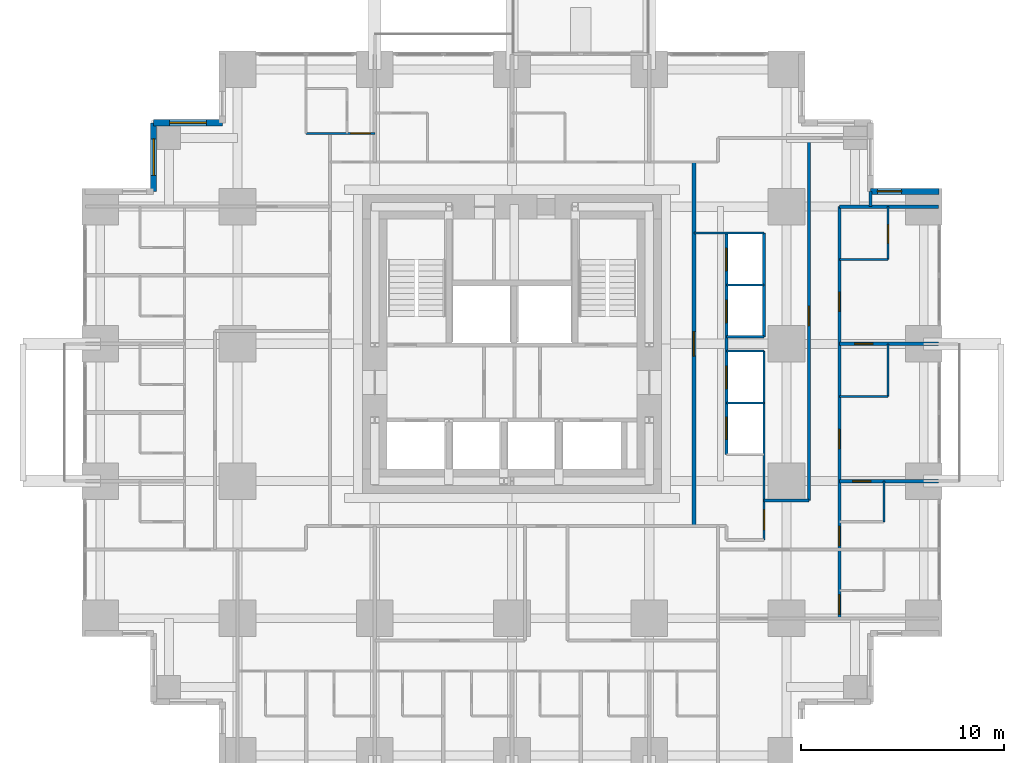
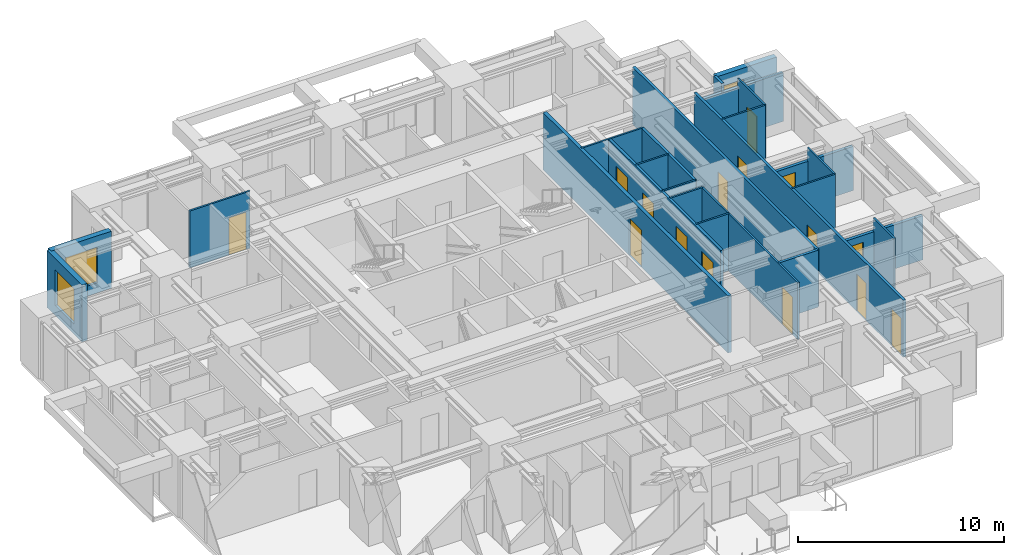
# One storey, part 10 of 13: 25 walls, 15 doors, 3 windows, 18 openings.
"""IFC4 building model written with IfcOpenShell, lengths in metres."""

import ifcopenshell
import ifcopenshell.guid

model = None  # the IFC model being written
_history = None  # IfcOwnerHistory: only IFC2X3 demands one
_inside = {}  # id of a spatial element -> (the spatial element, [elements in it])
_under = {}  # id of a project, library or spatial element -> (it, [spatial elements below it])
_declared = {}  # id of a project -> (the project, [libraries it declares])
_typed = {}  # id of a type object -> (the type object, [elements of that type])
_made_of = {}  # id of a material, layer set ... -> (it, [elements and type objects made of it])


def new_model(schema):
    """Start an empty IFC model of exactly this schema.

    Asked for "IFC4X3", IfcOpenShell would pick the latest addendum, in which some entities
    have other attributes; the version numbers below select the first issue.
    IFC2X3 requires an IfcOwnerHistory on every rooted entity: one is made here for all.
    """
    global model, _history
    if schema == "IFC4X3":
        model = ifcopenshell.file(schema_version=(4, 3, 0, 0))
    else:
        model = ifcopenshell.file(schema=schema)
    _inside.clear()
    _under.clear()
    _declared.clear()
    _typed.clear()
    _made_of.clear()
    _history = None
    if model.schema == "IFC2X3":
        org = make("IfcOrganization", Name="unknown")
        user = make(
            "IfcPersonAndOrganization",
            ThePerson=make("IfcPerson", FamilyName="unknown"),
            TheOrganization=org,
        )
        app = make(
            "IfcApplication",
            ApplicationDeveloper=org,
            Version="unknown",
            ApplicationFullName="unknown",
            ApplicationIdentifier="unknown",
        )
        _history = make(
            "IfcOwnerHistory",
            OwningUser=user,
            OwningApplication=app,
            ChangeAction="ADDED",
            CreationDate=0,
        )
    return model


def make(cls, **values):
    """One entity of the class cls with the attributes given. An attribute that is None is left unset."""
    return model.create_entity(
        cls, **{name: value for name, value in values.items() if value is not None}
    )


def rooted(cls, **values):
    """An entity with a GlobalId (a new one), such as an element, a storey or a relation."""
    return make(cls, GlobalId=ifcopenshell.guid.new(), OwnerHistory=_history, **values)


def si_unit(unit_type, name, prefix=None):
    """IfcSIUnit, for example si_unit("LENGTHUNIT", "METRE", prefix="MILLI")."""
    return make("IfcSIUnit", UnitType=unit_type, Prefix=prefix, Name=name)


def assignment(units):
    """IfcUnitAssignment: the units of a project."""
    return None if units is None else make("IfcUnitAssignment", Units=units)


def point(xyz):
    """IfcCartesianPoint."""
    return None if xyz is None else make("IfcCartesianPoint", Coordinates=xyz)


def direction(xyz):
    """IfcDirection."""
    return None if xyz is None else make("IfcDirection", DirectionRatios=xyz)


def frame(location, z_axis=None, x_axis=None):
    """IfcAxis2Placement3D, a coordinate frame: its origin and axes. An axis left out is left unset."""
    return make(
        "IfcAxis2Placement3D",
        Location=point(location),
        Axis=direction(z_axis),
        RefDirection=direction(x_axis),
    )


def frame_2d(location, x_axis=None):
    """IfcAxis2Placement2D, a coordinate frame in the plane: its origin and x axis."""
    return make(
        "IfcAxis2Placement2D", Location=point(location), RefDirection=direction(x_axis)
    )


def origin():
    """The frame at (0, 0, 0) with its axes left unset."""
    return frame((0.0, 0.0, 0.0))


def place(relative_to, where):
    """IfcLocalPlacement: puts the frame where relative to a parent placement (None: the world)."""
    return make(
        "IfcLocalPlacement", PlacementRelTo=relative_to, RelativePlacement=where
    )


def context(
    kind, dimensions, precision=None, world=None, true_north=None, identifier=None
):
    """IfcGeometricRepresentationContext, for example the 3D "Model" context."""
    return make(
        "IfcGeometricRepresentationContext",
        ContextIdentifier=identifier,
        ContextType=kind,
        CoordinateSpaceDimension=dimensions,
        Precision=precision,
        WorldCoordinateSystem=world,
        TrueNorth=true_north,
    )


def subcontext(parent, identifier, kind, view, scale=None):
    """IfcGeometricRepresentationSubContext, for example "Body" below "Model"."""
    return make(
        "IfcGeometricRepresentationSubContext",
        ContextIdentifier=identifier,
        ContextType=kind,
        ParentContext=parent,
        TargetScale=scale,
        TargetView=view,
    )


def project(units=None, contexts=None):
    """IfcProject with its units and contexts."""
    return rooted(
        "IfcProject",
        Name="project",
        RepresentationContexts=contexts,
        UnitsInContext=assignment(units),
    )


def spatial(cls, under=None, at=None, **own):
    """A site, building, storey or space (cls), placed at a placement, below another one or the project."""
    s = rooted(cls, ObjectPlacement=at, **own)
    if under is not None:
        _under.setdefault(under.id(), (under, []))[1].append(s)
    return s


def profile(cls, at=None, kind="AREA", **sizes):
    """A parametric profile (cls). Its sizes go by their IFC names, for example OverallWidth=200.0."""
    return make(cls, ProfileType=kind, Position=at, **sizes)


def rectangle(**sizes):
    """IfcRectangleProfileDef."""
    return profile("IfcRectangleProfileDef", **sizes)


def extrude(swept, where, along, depth):
    """IfcExtrudedAreaSolid: the profile swept, set in the frame where, extruded along a direction by depth."""
    return make(
        "IfcExtrudedAreaSolid",
        SweptArea=swept,
        Position=where,
        ExtrudedDirection=direction(along),
        Depth=depth,
    )


def shape(context_of_items, identifier, shape_type, items):
    """IfcShapeRepresentation: the items that make up one representation, for example the "Body"."""
    return make(
        "IfcShapeRepresentation",
        ContextOfItems=context_of_items,
        RepresentationIdentifier=identifier,
        RepresentationType=shape_type,
        Items=items,
    )


def material(Name=None, Category=None):
    """IfcMaterial."""
    return make("IfcMaterial", Name=Name, Category=Category)


def layer(
    of_material, thickness, ventilated=None, Name=None, Category=None, Priority=None
):
    """IfcMaterialLayer: one layer of a wall or slab, of a material (None: an air gap)."""
    return make(
        "IfcMaterialLayer",
        Material=of_material,
        LayerThickness=thickness,
        IsVentilated=ventilated,
        Name=Name,
        Category=Category,
        Priority=Priority,
    )


def layer_set(layers, Name=None):
    """IfcMaterialLayerSet."""
    return make("IfcMaterialLayerSet", MaterialLayers=layers, LayerSetName=Name)


def made_of(thing, what):
    """Note that an element or type object is made of a material, layer set ...; save() writes the relation."""
    if what is not None:
        _made_of.setdefault(what.id(), (what, []))[1].append(thing)
    return thing


def type_object(cls, material=None, **own):
    """A type object (cls), such as IfcWallType, which elements share."""
    return made_of(rooted(cls, **own), material)


def element(
    cls,
    number,
    at=None,
    inside=None,
    cuts=None,
    type_object=None,
    material=None,
    context=None,
    identifier="Body",
    shape_type=None,
    held_by="IfcProductDefinitionShape",
    body=None,
    shapes=None,
    **own,
):
    """One element of the class cls, such as IfcWall. Its Tag is "e" and its number.

    at: its placement. inside: the storey or other place that contains it. cuts: it is an
    opening in that element (IfcRelVoidsElement). A single representation is given by context,
    identifier, shape_type and body (its items); several are given by shapes. held_by: the class
    of the entity that holds the representations. save() writes the other relations.
    """
    e = rooted(cls, Tag="e%d" % number, ObjectPlacement=at, **own)
    if body is not None:
        shapes = [shape(context, identifier, shape_type, body)]
    if shapes is not None:
        e.Representation = make(held_by, Representations=shapes)
    if inside is not None:
        _inside.setdefault(inside.id(), (inside, []))[1].append(e)
    if cuts is not None:
        rooted(
            "IfcRelVoidsElement", RelatingBuildingElement=cuts, RelatedOpeningElement=e
        )
    if type_object is not None:
        _typed.setdefault(type_object.id(), (type_object, []))[1].append(e)
    return made_of(e, material)


def fill(opening, filler):
    """IfcRelFillsElement: the door or window that sits in an opening."""
    return rooted(
        "IfcRelFillsElement",
        RelatingOpeningElement=opening,
        RelatedBuildingElement=filler,
    )


def aggregate(whole, parts):
    """IfcRelAggregates: a whole, such as a stair, and the parts it consists of."""
    return rooted("IfcRelAggregates", RelatingObject=whole, RelatedObjects=parts)


def save(model, path):
    """Write the relations noted so far, then the file.

    IfcRelAggregates (storeys below a building ...), IfcRelContainedInSpatialStructure (elements
    in a storey), IfcRelDefinesByType, IfcRelAssociatesMaterial and IfcRelDeclares: one each for
    every whole, place, type object, material and project.
    """
    for whole, parts in _under.values():
        aggregate(whole, parts)
    for where, things in _inside.values():
        rooted(
            "IfcRelContainedInSpatialStructure",
            RelatedElements=things,
            RelatingStructure=where,
        )
    for kind, things in _typed.values():
        rooted("IfcRelDefinesByType", RelatedObjects=things, RelatingType=kind)
    for what, things in _made_of.values():
        rooted("IfcRelAssociatesMaterial", RelatedObjects=things, RelatingMaterial=what)
    for by, libraries in _declared.values():
        rooted("IfcRelDeclares", RelatingContext=by, RelatedDefinitions=libraries)
    model.write(path)


model = new_model("IFC4")

# Units and contexts
model_context = context("Model", 3, precision=1e-05, world=origin(), true_north=direction((0.0, 1.0)))
body_context = subcontext(model_context, "Body", "Model", "MODEL_VIEW")
ifc_project = project(units=[si_unit("LENGTHUNIT", "METRE"), si_unit("AREAUNIT", "SQUARE_METRE"), si_unit("VOLUMEUNIT", "CUBIC_METRE"), si_unit("PLANEANGLEUNIT", "RADIAN"), si_unit("MASSUNIT", "GRAM", prefix="KILO")], contexts=[model_context])

# Site, building, storey
site_placement = place(None, origin())
site = spatial("IfcSite", under=ifc_project, at=site_placement, CompositionType="ELEMENT")
building_placement = place(site_placement, origin())
building = spatial("IfcBuilding", under=site, at=building_placement, Name="Nyansa Garden Tower", CompositionType="ELEMENT")
storey_placement = place(building_placement, frame((0.0, 0.0, 105.300048828125)))
storey = spatial("IfcBuildingStorey", under=building, at=storey_placement, Name="L28", CompositionType="ELEMENT", Elevation=105.300048828125)

# Wall, opening, door
ifc_material_1 = material(Name="Dense blockwork, plastered both sides, 55 dB", Category="masonry")
ifc_layer_1 = layer(ifc_material_1, 0.175048828125)
ifc_layer_set_1 = layer_set([ifc_layer_1], Name="Acoustic party wall PW175")
wall_type_1 = type_object("IfcWallType", Name="Acoustic party wall PW175", PredefinedType="PARTITIONING", material=ifc_layer_set_1)
wall_1_placement = place(storey_placement, frame((36.35009765625, 13.5, 0.0), z_axis=(0.0, 0.0, 1.0), x_axis=(1.0, 0.0, 0.0)))
wall_1 = element("IfcWall", 1, at=wall_1_placement, inside=storey, type_object=wall_type_1, Name="Party wall", PredefinedType="PARTITIONING", context=body_context, shape_type="SweptSolid", body=[
    extrude(rectangle(XDim=4.8837890625, YDim=0.175048828125, at=frame_2d((2.44189453125, 0.0))), origin(), (0.0, 0.0, 1.0), 2.60986328125),
])
opening_1_placement = place(wall_1_placement, frame((0.64990234375, 0.0, 0.0)))
opening_1 = element("IfcOpeningElement", 2, at=opening_1_placement, cuts=wall_1, Name="Opening D02", PredefinedType="OPENING", context=body_context, shape_type="SweptSolid", body=[
    extrude(rectangle(XDim=0.89990234375, YDim=2.199951171875, at=frame_2d((0.449951171875, 1.10009765625))), frame((0.0, 0.097412109375, 0.0), z_axis=(0.0, -1.0, 0.0), x_axis=(1.0, 0.0, 0.0)), (0.0, 0.0, 1.0), 0.195068359375),
])
ifc_material_2 = material(Name="Timber flush door", Category="wood")
door_type_1 = type_object("IfcDoorType", Name="En-suite door D02 900x2200", OperationType="SINGLE_SWING_RIGHT", PredefinedType="DOOR", material=ifc_material_2)
door_1_placement = place(opening_1_placement, origin())
door_1 = element("IfcDoor", 3, at=door_1_placement, inside=storey, type_object=door_type_1, Name="Door L28-045", OperationType="SINGLE_SWING_RIGHT", OverallHeight=2.199951171875, OverallWidth=0.89990234375, PredefinedType="DOOR", context=body_context, shape_type="SweptSolid", body=[
    extrude(rectangle(XDim=0.89990234375, YDim=2.199951171875, at=frame_2d((0.449951171875, 1.10009765625))), frame((0.0, 0.02490234375, 0.0), z_axis=(0.0, -1.0, 0.0), x_axis=(1.0, 0.0, 0.0)), (0.0, 0.0, 1.0), 0.050048828125),
])
fill(opening_1, door_1)

wall_2_placement = place(storey_placement, frame((36.35009765625, 20.25, 0.0), z_axis=(0.0, 0.0, 1.0), x_axis=(1.0, 0.0, 0.0)))
wall_2 = element("IfcWall", 4, at=wall_2_placement, inside=storey, type_object=wall_type_1, Name="Party wall", PredefinedType="PARTITIONING", context=body_context, shape_type="SweptSolid", body=[
    extrude(rectangle(XDim=4.8837890625, YDim=0.175048828125, at=frame_2d((2.44189453125, 0.0))), origin(), (0.0, 0.0, 1.0), 2.60986328125),
])
opening_2_placement = place(wall_2_placement, frame((0.75, 0.0, 0.0)))
opening_2 = element("IfcOpeningElement", 5, at=opening_2_placement, cuts=wall_2, Name="Opening D02", PredefinedType="OPENING", context=body_context, shape_type="SweptSolid", body=[
    extrude(rectangle(XDim=0.89990234375, YDim=2.199951171875, at=frame_2d((0.449951171875, 1.10009765625))), frame((0.0, 0.097412109375, 0.0), z_axis=(0.0, -1.0, 0.0), x_axis=(1.0, 0.0, 0.0)), (0.0, 0.0, 1.0), 0.195068359375),
])
door_2_placement = place(opening_2_placement, origin())
door_2 = element("IfcDoor", 6, at=door_2_placement, inside=storey, type_object=door_type_1, Name="Door L28-043", OperationType="SINGLE_SWING_RIGHT", OverallHeight=2.199951171875, OverallWidth=0.89990234375, PredefinedType="DOOR", context=body_context, shape_type="SweptSolid", body=[
    extrude(rectangle(XDim=0.89990234375, YDim=2.199951171875, at=frame_2d((0.449951171875, 1.10009765625))), frame((0.0, 0.02490234375, 0.0), z_axis=(0.0, -1.0, 0.0), x_axis=(1.0, 0.0, 0.0)), (0.0, 0.0, 1.0), 0.050048828125),
])
fill(opening_2, door_2)

# Wall
wall_3_placement = place(storey_placement, frame((36.35009765625, 27.0, 0.0), z_axis=(0.0, 0.0, 1.0), x_axis=(1.0, 0.0, 0.0)))
element("IfcWall", 7, at=wall_3_placement, inside=storey, type_object=wall_type_1, Name="Party wall", PredefinedType="PARTITIONING", context=body_context, shape_type="SweptSolid", body=[
    extrude(rectangle(XDim=4.8837890625, YDim=0.175048828125, at=frame_2d((2.44189453125, 0.0))), origin(), (0.0, 0.0, 1.0), 2.876953125),
])

# Wall, opening, door
ifc_material_3 = material(Name="Concrete blockwork, plastered, 60 minute fire resisting", Category="masonry")
ifc_layer_2 = layer(ifc_material_3, 0.199951171875)
ifc_layer_set_2 = layer_set([ifc_layer_2], Name="Corridor wall FW200")
wall_type_2 = type_object("IfcWallType", Name="Corridor wall FW200", PredefinedType="PARTITIONING", material=ifc_layer_set_2)
wall_4_placement = place(storey_placement, frame((29.199951171875, 11.300048828125, 0.0), z_axis=(0.0, 0.0, 1.0), x_axis=(0.0, 1.0, 0.0)))
wall_4 = element("IfcWall", 8, at=wall_4_placement, inside=storey, type_object=wall_type_2, Name="Corridor wall", PredefinedType="PARTITIONING", context=body_context, shape_type="SweptSolid", body=[
    extrude(rectangle(XDim=17.89990234375, YDim=0.199951171875, at=frame_2d((8.949951171875, 0.0))), origin(), (0.0, 0.0, 1.0), 3.375),
])
opening_3_placement = place(wall_4_placement, frame((8.35009765625, 0.0, 0.0)))
opening_3 = element("IfcOpeningElement", 9, at=opening_3_placement, cuts=wall_4, Name="Opening D06", PredefinedType="OPENING", context=body_context, shape_type="SweptSolid", body=[
    extrude(rectangle(XDim=1.199951171875, YDim=2.199951171875, at=frame_2d((0.60009765625, 1.10009765625))), frame((0.0, 0.10986328125, 0.0), z_axis=(0.0, -1.0, 0.0), x_axis=(1.0, 0.0, 0.0)), (0.0, 0.0, 1.0), 0.219970703125),
])
ifc_material_4 = material(Name="Steel door, 120 minute fire resisting", Category="steel")
door_type_2 = type_object("IfcDoorType", Name="Lobby door D06 1200x2200", OperationType="DOUBLE_DOOR_SINGLE_SWING", PredefinedType="DOOR", material=ifc_material_4)
door_3_placement = place(opening_3_placement, origin())
door_3 = element("IfcDoor", 10, at=door_3_placement, inside=storey, type_object=door_type_2, Name="Low-rise lift lobby door", OperationType="DOUBLE_DOOR_SINGLE_SWING", OverallHeight=2.199951171875, OverallWidth=1.199951171875, PredefinedType="DOOR", context=body_context, shape_type="SweptSolid", body=[
    extrude(rectangle(XDim=1.199951171875, YDim=2.199951171875, at=frame_2d((0.60009765625, 1.10009765625))), frame((0.0, 0.02490234375, 0.0), z_axis=(0.0, -1.0, 0.0), x_axis=(1.0, 0.0, 0.0)), (0.0, 0.0, 1.0), 0.050048828125),
])
fill(opening_3, door_3)

# Walls
ifc_material_5 = material(Name="Steel-stud shaft wall, two layers fire-rated board, EI 120", Category="steel")
ifc_layer_3 = layer(ifc_material_5, 0.10009765625)
ifc_layer_set_3 = layer_set([ifc_layer_3], Name="Lift shaft wall SW100")
wall_type_3 = type_object("IfcWallType", Name="Lift shaft wall SW100", PredefinedType="SHEAR", material=ifc_layer_set_3)
wall_5_placement = place(storey_placement, frame((29.199951171875, 25.699951171875, 0.0), z_axis=(0.0, 0.0, 1.0), x_axis=(1.0, 0.0, 0.0)))
element("IfcWall", 11, at=wall_5_placement, inside=storey, type_object=wall_type_3, Name="Lift shaft wall", PredefinedType="SHEAR", context=body_context, shape_type="SweptSolid", body=[
    extrude(rectangle(XDim=3.449951171875, YDim=0.10009765625, at=frame_2d((1.72509765625, 0.0))), origin(), (0.0, 0.0, 1.0), 3.375),
])
for number, where, z_axis, x_axis, name in (
    (12, (30.800048828125, 17.35009765625, 0.0), (0.0, 0.0, 1.0), (1.0, 0.0, 0.0), "Lift shaft wall"),
    (13, (30.800048828125, 19.89990234375, 0.0), (0.0, 0.0, 1.0), (1.0, 0.0, 0.0), "Lift shaft wall"),
    (14, (30.800048828125, 20.60009765625, 0.0), (0.0, 0.0, 1.0), (1.0, 0.0, 0.0), "Lift shaft wall"),
    (15, (30.800048828125, 23.14990234375, 0.0), (0.0, 0.0, 1.0), (1.0, 0.0, 0.0), "Lift shaft wall"),
):
    element("IfcWall", number, at=place(storey_placement, frame(where, z_axis=z_axis, x_axis=x_axis)), inside=storey, type_object=wall_type_3, Name=name, PredefinedType="SHEAR", context=body_context, shape_type="SweptSolid", body=[
        extrude(rectangle(XDim=1.849853515625, YDim=0.10009765625, at=frame_2d((0.9248046875, 0.0))), origin(), (0.0, 0.0, 1.0), 3.375),
    ])

# Wall, opening, door
wall_6_placement = place(storey_placement, frame((32.64990234375, 10.60009765625, 0.0), z_axis=(0.0, 0.0, 1.0), x_axis=(0.0, 1.0, 0.0)))
wall_6 = element("IfcWall", 16, at=wall_6_placement, inside=storey, type_object=wall_type_3, Name="Lift shaft wall", PredefinedType="SHEAR", context=body_context, shape_type="SweptSolid", body=[
    extrude(rectangle(XDim=9.2998046875, YDim=0.10009765625, at=frame_2d((4.64990234375, 0.0))), origin(), (0.0, 0.0, 1.0), 3.375),
])
opening_4_placement = place(wall_6_placement, frame((0.5, 0.0, 0.0)))
opening_4 = element("IfcOpeningElement", 17, at=opening_4_placement, cuts=wall_6, Name="Opening D03", PredefinedType="OPENING", context=body_context, shape_type="SweptSolid", body=[
    extrude(rectangle(XDim=1.0, YDim=2.199951171875, at=frame_2d((0.5, 1.10009765625))), frame((0.0, 0.06005859375, 0.0), z_axis=(0.0, -1.0, 0.0), x_axis=(1.0, 0.0, 0.0)), (0.0, 0.0, 1.0), 0.1201171875),
])
ifc_material_6 = material(Name="Timber flush door, 60 minute fire resisting", Category="wood")
door_type_3 = type_object("IfcDoorType", Name="Cluster entrance door D03 1000x2200", OperationType="SINGLE_SWING_LEFT", PredefinedType="DOOR", material=ifc_material_6)
door_4_placement = place(opening_4_placement, origin())
door_4 = element("IfcDoor", 18, at=door_4_placement, inside=storey, type_object=door_type_3, Name="Door L28-046", OperationType="SINGLE_SWING_LEFT", OverallHeight=2.199951171875, OverallWidth=1.0, PredefinedType="DOOR", context=body_context, shape_type="SweptSolid", body=[
    extrude(rectangle(XDim=1.0, YDim=2.199951171875, at=frame_2d((0.5, 1.10009765625))), frame((0.0, 0.02490234375, 0.0), z_axis=(0.0, -1.0, 0.0), x_axis=(1.0, 0.0, 0.0)), (0.0, 0.0, 1.0), 0.050048828125),
])
fill(opening_4, door_4)

# Wall, openings, doors
ifc_material_7 = material(Name="Blockwork, plastered both sides", Category="masonry")
ifc_layer_4 = layer(ifc_material_7, 0.14990234375)
ifc_layer_set_4 = layer_set([ifc_layer_4], Name="Partition PW150")
wall_type_4 = type_object("IfcWallType", Name="Partition PW150", PredefinedType="PARTITIONING", material=ifc_layer_set_4)
wall_7_placement = place(storey_placement, frame((30.800048828125, 14.800048828125, 0.0), z_axis=(0.0, 0.0, 1.0), x_axis=(0.0, 1.0, 0.0)))
wall_7 = element("IfcWall", 19, at=wall_7_placement, inside=storey, type_object=wall_type_4, Name="Partition", PredefinedType="PARTITIONING", context=body_context, shape_type="SweptSolid", body=[
    extrude(rectangle(XDim=10.89990234375, YDim=0.14990234375, at=frame_2d((5.449951171875, 0.0))), origin(), (0.0, 0.0, 1.0), 3.375),
])
opening_5_placement = place(wall_7_placement, frame((0.75, 0.0, 0.0)))
opening_5 = element("IfcOpeningElement", 20, at=opening_5_placement, cuts=wall_7, Name="Opening LD-A", PredefinedType="OPENING", context=body_context, shape_type="SweptSolid", body=[
    extrude(rectangle(XDim=1.10009765625, YDim=2.199951171875, at=frame_2d((0.550048828125, 1.10009765625))), frame((0.0, 0.0849609375, 0.0), z_axis=(0.0, -1.0, 0.0), x_axis=(1.0, 0.0, 0.0)), (0.0, 0.0, 1.0), 0.169921875),
])
opening_6_placement = place(wall_7_placement, frame((3.25, 0.0, 0.0)))
opening_6 = element("IfcOpeningElement", 21, at=opening_6_placement, cuts=wall_7, Name="Opening LD-A", PredefinedType="OPENING", context=body_context, shape_type="SweptSolid", body=[
    extrude(rectangle(XDim=1.10009765625, YDim=2.199951171875, at=frame_2d((0.550048828125, 1.10009765625))), frame((0.0, 0.0849609375, 0.0), z_axis=(0.0, -1.0, 0.0), x_axis=(1.0, 0.0, 0.0)), (0.0, 0.0, 1.0), 0.169921875),
])
opening_7_placement = place(wall_7_placement, frame((6.5, 0.0, 0.0)))
opening_7 = element("IfcOpeningElement", 22, at=opening_7_placement, cuts=wall_7, Name="Opening LD-A", PredefinedType="OPENING", context=body_context, shape_type="SweptSolid", body=[
    extrude(rectangle(XDim=1.10009765625, YDim=2.199951171875, at=frame_2d((0.550048828125, 1.10009765625))), frame((0.0, 0.0849609375, 0.0), z_axis=(0.0, -1.0, 0.0), x_axis=(1.0, 0.0, 0.0)), (0.0, 0.0, 1.0), 0.169921875),
])
opening_8_placement = place(wall_7_placement, frame((9.050048828125, 0.0, 0.0)))
opening_8 = element("IfcOpeningElement", 23, at=opening_8_placement, cuts=wall_7, Name="Opening LD-A", PredefinedType="OPENING", context=body_context, shape_type="SweptSolid", body=[
    extrude(rectangle(XDim=1.10009765625, YDim=2.199951171875, at=frame_2d((0.550048828125, 1.10009765625))), frame((0.0, 0.0849609375, 0.0), z_axis=(0.0, -1.0, 0.0), x_axis=(1.0, 0.0, 0.0)), (0.0, 0.0, 1.0), 0.169921875),
])
ifc_material_8 = material(Name="Stainless steel centre-opening landing door of the low-rise lift, E 120", Category="steel")
door_type_4 = type_object("IfcDoorType", Name="Lift landing door LD-A 1100x2200", OperationType="DOUBLE_DOOR_SLIDING", PredefinedType="DOOR", material=ifc_material_8)
door_5_placement = place(opening_5_placement, origin())
door_5 = element("IfcDoor", 24, at=door_5_placement, inside=storey, type_object=door_type_4, Name="Landing door A1", OperationType="DOUBLE_DOOR_SLIDING", OverallHeight=2.199951171875, OverallWidth=1.10009765625, PredefinedType="DOOR", context=body_context, shape_type="SweptSolid", body=[
    extrude(rectangle(XDim=1.10009765625, YDim=2.199951171875, at=frame_2d((0.550048828125, 1.10009765625))), frame((0.0, 0.02490234375, 0.0), z_axis=(0.0, -1.0, 0.0), x_axis=(1.0, 0.0, 0.0)), (0.0, 0.0, 1.0), 0.050048828125),
])
fill(opening_5, door_5)
door_6_placement = place(opening_6_placement, origin())
door_6 = element("IfcDoor", 25, at=door_6_placement, inside=storey, type_object=door_type_4, Name="Landing door A2", OperationType="DOUBLE_DOOR_SLIDING", OverallHeight=2.199951171875, OverallWidth=1.10009765625, PredefinedType="DOOR", context=body_context, shape_type="SweptSolid", body=[
    extrude(rectangle(XDim=1.10009765625, YDim=2.199951171875, at=frame_2d((0.550048828125, 1.10009765625))), frame((0.0, 0.02490234375, 0.0), z_axis=(0.0, -1.0, 0.0), x_axis=(1.0, 0.0, 0.0)), (0.0, 0.0, 1.0), 0.050048828125),
])
fill(opening_6, door_6)
door_7_placement = place(opening_7_placement, origin())
door_7 = element("IfcDoor", 26, at=door_7_placement, inside=storey, type_object=door_type_4, Name="Landing door A3", OperationType="DOUBLE_DOOR_SLIDING", OverallHeight=2.199951171875, OverallWidth=1.10009765625, PredefinedType="DOOR", context=body_context, shape_type="SweptSolid", body=[
    extrude(rectangle(XDim=1.10009765625, YDim=2.199951171875, at=frame_2d((0.550048828125, 1.10009765625))), frame((0.0, 0.02490234375, 0.0), z_axis=(0.0, -1.0, 0.0), x_axis=(1.0, 0.0, 0.0)), (0.0, 0.0, 1.0), 0.050048828125),
])
fill(opening_7, door_7)
door_8_placement = place(opening_8_placement, origin())
door_8 = element("IfcDoor", 27, at=door_8_placement, inside=storey, type_object=door_type_4, Name="Landing door A4", OperationType="DOUBLE_DOOR_SLIDING", OverallHeight=2.199951171875, OverallWidth=1.10009765625, PredefinedType="DOOR", context=body_context, shape_type="SweptSolid", body=[
    extrude(rectangle(XDim=1.10009765625, YDim=2.199951171875, at=frame_2d((0.550048828125, 1.10009765625))), frame((0.0, 0.02490234375, 0.0), z_axis=(0.0, -1.0, 0.0), x_axis=(1.0, 0.0, 0.0)), (0.0, 0.0, 1.0), 0.050048828125),
])
fill(opening_8, door_8)

# Walls
wall_8_placement = place(storey_placement, frame((32.64990234375, 12.550048828125, 0.0), z_axis=(0.0, 0.0, 1.0), x_axis=(1.0, 0.0, 0.0)))
element("IfcWall", 28, at=wall_8_placement, inside=storey, type_object=wall_type_4, Name="Partition", PredefinedType="PARTITIONING", context=body_context, shape_type="SweptSolid", body=[
    extrude(rectangle(XDim=2.2001953125, YDim=0.14990234375, at=frame_2d((1.10009765625, 0.0))), origin(), (0.0, 0.0, 1.0), 3.375),
])
wall_9_placement = place(storey_placement, frame((32.64990234375, 20.60009765625, 0.0), z_axis=(0.0, 0.0, 1.0), x_axis=(0.0, 1.0, 0.0)))
element("IfcWall", 29, at=wall_9_placement, inside=storey, type_object=wall_type_4, Name="Partition", PredefinedType="PARTITIONING", context=body_context, shape_type="SweptSolid", body=[
    extrude(rectangle(XDim=5.099853515625, YDim=0.14990234375, at=frame_2d((2.5498046875, 0.0))), origin(), (0.0, 0.0, 1.0), 3.375),
])

# Wall, opening, door
wall_10_placement = place(storey_placement, frame((34.85009765625, 12.550048828125, 0.0), z_axis=(0.0, 0.0, 1.0), x_axis=(0.0, 1.0, 0.0)))
wall_10 = element("IfcWall", 30, at=wall_10_placement, inside=storey, type_object=wall_type_4, Name="Partition", PredefinedType="PARTITIONING", context=body_context, shape_type="SweptSolid", body=[
    extrude(rectangle(XDim=17.824951171875, YDim=0.14990234375, at=frame_2d((8.91259765625, 0.0))), origin(), (0.0, 0.0, 1.0), 3.375),
])
opening_9_placement = place(wall_10_placement, frame((8.60009765625, 0.0, 0.0)))
opening_9 = element("IfcOpeningElement", 31, at=opening_9_placement, cuts=wall_10, Name="Opening D01", PredefinedType="OPENING", context=body_context, shape_type="SweptSolid", body=[
    extrude(rectangle(XDim=0.949951171875, YDim=2.199951171875, at=frame_2d((0.47509765625, 1.10009765625))), frame((0.0, 0.0849609375, 0.0), z_axis=(0.0, -1.0, 0.0), x_axis=(1.0, 0.0, 0.0)), (0.0, 0.0, 1.0), 0.169921875),
])
ifc_material_9 = material(Name="Timber flush door, 30 minute fire resisting", Category="wood")
door_type_5 = type_object("IfcDoorType", Name="Bedroom door D01 950x2200", OperationType="SINGLE_SWING_LEFT", PredefinedType="DOOR", material=ifc_material_9)
door_9_placement = place(opening_9_placement, origin())
door_9 = element("IfcDoor", 32, at=door_9_placement, inside=storey, type_object=door_type_5, Name="Door L28-047", OperationType="SINGLE_SWING_LEFT", OverallHeight=2.199951171875, OverallWidth=0.949951171875, PredefinedType="DOOR", context=body_context, shape_type="SweptSolid", body=[
    extrude(rectangle(XDim=0.949951171875, YDim=2.199951171875, at=frame_2d((0.47509765625, 1.10009765625))), frame((0.0, 0.02490234375, 0.0), z_axis=(0.0, -1.0, 0.0), x_axis=(1.0, 0.0, 0.0)), (0.0, 0.0, 1.0), 0.050048828125),
])
fill(opening_9, door_9)

# Wall, openings, doors
wall_11_placement = place(storey_placement, frame((36.35009765625, 6.75, 0.0), z_axis=(0.0, 0.0, 1.0), x_axis=(0.0, 1.0, 0.0)))
wall_11 = element("IfcWall", 33, at=wall_11_placement, inside=storey, type_object=wall_type_4, Name="Partition", PredefinedType="PARTITIONING", context=body_context, shape_type="SweptSolid", body=[
    extrude(rectangle(XDim=20.25, YDim=0.14990234375, at=frame_2d((10.125, 0.0))), origin(), (0.0, 0.0, 1.0), 3.375),
])
opening_10_placement = place(wall_11_placement, frame((0.199951171875, 0.0, 0.0)))
opening_10 = element("IfcOpeningElement", 34, at=opening_10_placement, cuts=wall_11, Name="Opening D01", PredefinedType="OPENING", context=body_context, shape_type="SweptSolid", body=[
    extrude(rectangle(XDim=0.949951171875, YDim=2.199951171875, at=frame_2d((0.47509765625, 1.10009765625))), frame((0.0, 0.0849609375, 0.0), z_axis=(0.0, -1.0, 0.0), x_axis=(1.0, 0.0, 0.0)), (0.0, 0.0, 1.0), 0.169921875),
])
opening_11_placement = place(wall_11_placement, frame((15.10009765625, 0.0, 0.0)))
opening_11 = element("IfcOpeningElement", 35, at=opening_11_placement, cuts=wall_11, Name="Opening D14", PredefinedType="OPENING", context=body_context, shape_type="SweptSolid", body=[
    extrude(rectangle(XDim=0.949951171875, YDim=2.199951171875, at=frame_2d((0.47509765625, 1.10009765625))), frame((0.0, 0.0849609375, 0.0), z_axis=(0.0, -1.0, 0.0), x_axis=(1.0, 0.0, 0.0)), (0.0, 0.0, 1.0), 0.169921875),
])
opening_12_placement = place(wall_11_placement, frame((8.35009765625, 0.0, 0.0)))
opening_12 = element("IfcOpeningElement", 36, at=opening_12_placement, cuts=wall_11, Name="Opening D14", PredefinedType="OPENING", context=body_context, shape_type="SweptSolid", body=[
    extrude(rectangle(XDim=0.949951171875, YDim=2.199951171875, at=frame_2d((0.47509765625, 1.10009765625))), frame((0.0, 0.0849609375, 0.0), z_axis=(0.0, -1.0, 0.0), x_axis=(1.0, 0.0, 0.0)), (0.0, 0.0, 1.0), 0.169921875),
])
opening_13_placement = place(wall_11_placement, frame((3.574951171875, 0.0, 0.0)))
opening_13 = element("IfcOpeningElement", 37, at=opening_13_placement, cuts=wall_11, Name="Opening D14", PredefinedType="OPENING", context=body_context, shape_type="SweptSolid", body=[
    extrude(rectangle(XDim=0.949951171875, YDim=2.199951171875, at=frame_2d((0.47509765625, 1.10009765625))), frame((0.0, 0.0849609375, 0.0), z_axis=(0.0, -1.0, 0.0), x_axis=(1.0, 0.0, 0.0)), (0.0, 0.0, 1.0), 0.169921875),
])
door_10_placement = place(opening_10_placement, origin())
door_10 = element("IfcDoor", 38, at=door_10_placement, inside=storey, type_object=door_type_5, Name="Door L28-037", OperationType="SINGLE_SWING_LEFT", OverallHeight=2.199951171875, OverallWidth=0.949951171875, PredefinedType="DOOR", context=body_context, shape_type="SweptSolid", body=[
    extrude(rectangle(XDim=0.949951171875, YDim=2.199951171875, at=frame_2d((0.47509765625, 1.10009765625))), frame((0.0, 0.02490234375, 0.0), z_axis=(0.0, -1.0, 0.0), x_axis=(1.0, 0.0, 0.0)), (0.0, 0.0, 1.0), 0.050048828125),
])
fill(opening_10, door_10)
ifc_material_10 = material(Name="Timber flush door, 60 minute fire resisting, self-closing", Category="wood")
door_type_6 = type_object("IfcDoorType", Name="Studio entrance door D14 950x2200", OperationType="SINGLE_SWING_LEFT", PredefinedType="DOOR", material=ifc_material_10)
door_11_placement = place(opening_11_placement, origin())
door_11 = element("IfcDoor", 39, at=door_11_placement, inside=storey, type_object=door_type_6, Name="Door L28-040", OperationType="SINGLE_SWING_LEFT", OverallHeight=2.199951171875, OverallWidth=0.949951171875, PredefinedType="DOOR", context=body_context, shape_type="SweptSolid", body=[
    extrude(rectangle(XDim=0.949951171875, YDim=2.199951171875, at=frame_2d((0.47509765625, 1.10009765625))), frame((0.0, 0.02490234375, 0.0), z_axis=(0.0, -1.0, 0.0), x_axis=(1.0, 0.0, 0.0)), (0.0, 0.0, 1.0), 0.050048828125),
])
fill(opening_11, door_11)
door_12_placement = place(opening_12_placement, origin())
door_12 = element("IfcDoor", 40, at=door_12_placement, inside=storey, type_object=door_type_6, Name="Door L28-042", OperationType="SINGLE_SWING_LEFT", OverallHeight=2.199951171875, OverallWidth=0.949951171875, PredefinedType="DOOR", context=body_context, shape_type="SweptSolid", body=[
    extrude(rectangle(XDim=0.949951171875, YDim=2.199951171875, at=frame_2d((0.47509765625, 1.10009765625))), frame((0.0, 0.02490234375, 0.0), z_axis=(0.0, -1.0, 0.0), x_axis=(1.0, 0.0, 0.0)), (0.0, 0.0, 1.0), 0.050048828125),
])
fill(opening_12, door_12)
door_13_placement = place(opening_13_placement, origin())
door_13 = element("IfcDoor", 41, at=door_13_placement, inside=storey, type_object=door_type_6, Name="Door L28-044", OperationType="SINGLE_SWING_LEFT", OverallHeight=2.199951171875, OverallWidth=0.949951171875, PredefinedType="DOOR", context=body_context, shape_type="SweptSolid", body=[
    extrude(rectangle(XDim=0.949951171875, YDim=2.199951171875, at=frame_2d((0.47509765625, 1.10009765625))), frame((0.0, 0.02490234375, 0.0), z_axis=(0.0, -1.0, 0.0), x_axis=(1.0, 0.0, 0.0)), (0.0, 0.0, 1.0), 0.050048828125),
])
fill(opening_13, door_13)

# Wall
wall_12_placement = place(storey_placement, frame((37.875, 27.0, 0.0), z_axis=(0.0, 0.0, 1.0), x_axis=(0.0, 1.0, 0.0)))
element("IfcWall", 42, at=wall_12_placement, inside=storey, type_object=wall_type_4, Name="Partition", PredefinedType="PARTITIONING", context=body_context, shape_type="SweptSolid", body=[
    extrude(rectangle(XDim=0.73388671875, YDim=0.14990234375, at=frame_2d((0.366943359375, 0.0))), origin(), (0.0, 0.0, 1.0), 3.375),
])

# Wall, opening, window
ifc_material_11 = material(Name="Turquoise glazed tile on concrete blockwork", Category="masonry")
ifc_layer_5 = layer(ifc_material_11, 0.300048828125)
ifc_layer_set_5 = layer_set([ifc_layer_5], Name="Tiled corner wall TW300")
wall_type_5 = type_object("IfcWallType", Name="Tiled corner wall TW300", PredefinedType="SOLIDWALL", material=ifc_layer_set_5)
wall_13_placement = place(storey_placement, frame((41.25, 27.75, 0.0), z_axis=(0.0, 0.0, 1.0), x_axis=(-1.0, 0.0, 0.0)))
wall_13 = element("IfcWall", 43, at=wall_13_placement, inside=storey, type_object=wall_type_5, Name="Tiled corner wall L28", PredefinedType="SOLIDWALL", context=body_context, shape_type="SweptSolid", body=[
    extrude(rectangle(XDim=3.375, YDim=0.300048828125, at=frame_2d((1.6875, 0.0))), origin(), (0.0, 0.0, 1.0), 3.375),
])
opening_14_placement = place(wall_13_placement, frame((1.83251953125, 0.0, 0.89990234375)))
opening_14 = element("IfcOpeningElement", 44, at=opening_14_placement, cuts=wall_13, Name="Opening W4", PredefinedType="OPENING", context=body_context, shape_type="SweptSolid", body=[
    extrude(rectangle(XDim=1.199951171875, YDim=1.800048828125, at=frame_2d((0.60009765625, 0.89990234375))), frame((0.0, 0.159912109375, 0.0), z_axis=(0.0, -1.0, 0.0), x_axis=(1.0, 0.0, 0.0)), (0.0, 0.0, 1.0), 0.320068359375),
])
ifc_material_12 = material(Name="Black aluminium frame, dark tinted double glazing", Category="aluminium")
window_type_1 = type_object("IfcWindowType", Name="Window W4 1200x1800", PartitioningType="SINGLE_PANEL", PredefinedType="WINDOW", material=ifc_material_12)
window_1_placement = place(opening_14_placement, origin())
window_1 = element("IfcWindow", 45, at=window_1_placement, inside=storey, type_object=window_type_1, Name="Corner window L28", OverallHeight=1.800048828125, OverallWidth=1.199951171875, PartitioningType="SINGLE_PANEL", PredefinedType="WINDOW", context=body_context, shape_type="SweptSolid", body=[
    extrude(rectangle(XDim=1.199951171875, YDim=1.800048828125, at=frame_2d((0.60009765625, 0.89990234375))), frame((0.0, 0.030029296875, 0.0), z_axis=(0.0, -1.0, 0.0), x_axis=(1.0, 0.0, 0.0)), (0.0, 0.0, 1.0), 0.06005859375),
])
fill(opening_14, window_1)

wall_14_placement = place(storey_placement, frame((6.0, 31.125, 0.0), z_axis=(0.0, 0.0, 1.0), x_axis=(-1.0, 0.0, 0.0)))
wall_14 = element("IfcWall", 46, at=wall_14_placement, inside=storey, type_object=wall_type_5, Name="Tiled corner wall L28", PredefinedType="SOLIDWALL", context=body_context, shape_type="SweptSolid", body=[
    extrude(rectangle(XDim=3.375, YDim=0.300048828125, at=frame_2d((1.6875, 0.0))), origin(), (0.0, 0.0, 1.0), 3.375),
])
opening_15_placement = place(wall_14_placement, frame((0.78759765625, 0.0, 0.60009765625)))
opening_15 = element("IfcOpeningElement", 47, at=opening_15_placement, cuts=wall_14, Name="Opening W2", PredefinedType="OPENING", context=body_context, shape_type="SweptSolid", body=[
    extrude(rectangle(XDim=1.800048828125, YDim=2.10009765625, at=frame_2d((0.89990234375, 1.050048828125))), frame((0.0, 0.159912109375, 0.0), z_axis=(0.0, -1.0, 0.0), x_axis=(1.0, 0.0, 0.0)), (0.0, 0.0, 1.0), 0.320068359375),
])
ifc_material_13 = material(Name="Black aluminium frame, dark tinted double glazing", Category="aluminium")
window_type_2 = type_object("IfcWindowType", Name="Window W2 1800x2100", PartitioningType="SINGLE_PANEL", PredefinedType="WINDOW", material=ifc_material_13)
window_2_placement = place(opening_15_placement, origin())
window_2 = element("IfcWindow", 48, at=window_2_placement, inside=storey, type_object=window_type_2, Name="Corner window L28", OverallHeight=2.10009765625, OverallWidth=1.800048828125, PartitioningType="SINGLE_PANEL", PredefinedType="WINDOW", context=body_context, shape_type="SweptSolid", body=[
    extrude(rectangle(XDim=1.800048828125, YDim=2.10009765625, at=frame_2d((0.89990234375, 1.050048828125))), frame((0.0, 0.030029296875, 0.0), z_axis=(0.0, -1.0, 0.0), x_axis=(1.0, 0.0, 0.0)), (0.0, 0.0, 1.0), 0.06005859375),
])
fill(opening_15, window_2)

wall_15_placement = place(storey_placement, frame((2.625, 31.125, 0.0), z_axis=(0.0, 0.0, 1.0), x_axis=(0.0, -1.0, 0.0)))
wall_15 = element("IfcWall", 49, at=wall_15_placement, inside=storey, type_object=wall_type_5, Name="Tiled corner wall L28", PredefinedType="SOLIDWALL", context=body_context, shape_type="SweptSolid", body=[
    extrude(rectangle(XDim=3.375, YDim=0.300048828125, at=frame_2d((1.6875, 0.0))), origin(), (0.0, 0.0, 1.0), 3.375),
])
opening_16_placement = place(wall_15_placement, frame((0.78759765625, 0.0, 0.60009765625)))
opening_16 = element("IfcOpeningElement", 50, at=opening_16_placement, cuts=wall_15, Name="Opening W2", PredefinedType="OPENING", context=body_context, shape_type="SweptSolid", body=[
    extrude(rectangle(XDim=1.800048828125, YDim=2.10009765625, at=frame_2d((0.89990234375, 1.050048828125))), frame((0.0, 0.159912109375, 0.0), z_axis=(0.0, -1.0, 0.0), x_axis=(1.0, 0.0, 0.0)), (0.0, 0.0, 1.0), 0.320068359375),
])
window_3_placement = place(opening_16_placement, origin())
window_3 = element("IfcWindow", 51, at=window_3_placement, inside=storey, type_object=window_type_2, Name="Corner window L28", OverallHeight=2.10009765625, OverallWidth=1.800048828125, PartitioningType="SINGLE_PANEL", PredefinedType="WINDOW", context=body_context, shape_type="SweptSolid", body=[
    extrude(rectangle(XDim=1.800048828125, YDim=2.10009765625, at=frame_2d((0.89990234375, 1.050048828125))), frame((0.0, 0.030029296875, 0.0), z_axis=(0.0, -1.0, 0.0), x_axis=(1.0, 0.0, 0.0)), (0.0, 0.0, 1.0), 0.06005859375),
])
fill(opening_16, window_3)

# Wall, opening, door
ifc_material_14 = material(Name="Moisture resistant board on steel studs, tiled", Category="steel")
ifc_layer_6 = layer(ifc_material_14, 0.10009765625)
ifc_layer_set_6 = layer_set([ifc_layer_6], Name="Wet wall PW100")
wall_type_6 = type_object("IfcWallType", Name="Wet wall PW100", PredefinedType="PARTITIONING", material=ifc_layer_set_6)
wall_16_placement = place(storey_placement, frame((10.125, 30.60009765625, 0.0), z_axis=(0.0, 0.0, 1.0), x_axis=(1.0, 0.0, 0.0)))
wall_16 = element("IfcWall", 52, at=wall_16_placement, inside=storey, type_object=wall_type_6, Name="Wet wall", PredefinedType="PARTITIONING", context=body_context, shape_type="SweptSolid", body=[
    extrude(rectangle(XDim=3.375, YDim=0.10009765625, at=frame_2d((1.6875, 0.0))), origin(), (0.0, 0.0, 1.0), 3.375),
])
opening_17_placement = place(wall_16_placement, frame((2.199951171875, 0.0, 0.0)))
opening_17 = element("IfcOpeningElement", 53, at=opening_17_placement, cuts=wall_16, Name="Opening D14", PredefinedType="OPENING", context=body_context, shape_type="SweptSolid", body=[
    extrude(rectangle(XDim=0.949951171875, YDim=2.199951171875, at=frame_2d((0.47509765625, 1.10009765625))), frame((0.0, 0.06005859375, 0.0), z_axis=(0.0, -1.0, 0.0), x_axis=(1.0, 0.0, 0.0)), (0.0, 0.0, 1.0), 0.1201171875),
])
door_14_placement = place(opening_17_placement, origin())
door_14 = element("IfcDoor", 54, at=door_14_placement, inside=storey, type_object=door_type_6, Name="Door L28-053", OperationType="SINGLE_SWING_LEFT", OverallHeight=2.199951171875, OverallWidth=0.949951171875, PredefinedType="DOOR", context=body_context, shape_type="SweptSolid", body=[
    extrude(rectangle(XDim=0.949951171875, YDim=2.199951171875, at=frame_2d((0.47509765625, 1.10009765625))), frame((0.0, 0.02490234375, 0.0), z_axis=(0.0, -1.0, 0.0), x_axis=(1.0, 0.0, 0.0)), (0.0, 0.0, 1.0), 0.050048828125),
])
fill(opening_17, door_14)

# Walls
for number, where, z_axis, x_axis, name in (
    (55, (36.35009765625, 17.64990234375, 0.0), (0.0, 0.0, 1.0), (1.0, 0.0, 0.0), "Wet wall"),
    (56, (36.35009765625, 24.39990234375, 0.0), (0.0, 0.0, 1.0), (1.0, 0.0, 0.0), "Wet wall"),
):
    element("IfcWall", number, at=place(storey_placement, frame(where, z_axis=z_axis, x_axis=x_axis)), inside=storey, type_object=wall_type_6, Name=name, PredefinedType="PARTITIONING", context=body_context, shape_type="SweptSolid", body=[
        extrude(rectangle(XDim=2.39990234375, YDim=0.10009765625, at=frame_2d((1.199951171875, 0.0))), origin(), (0.0, 0.0, 1.0), 3.375),
    ])
wall_17_placement = place(storey_placement, frame((38.550048828125, 11.5, 0.0), z_axis=(0.0, 0.0, 1.0), x_axis=(0.0, 1.0, 0.0)))
element("IfcWall", 57, at=wall_17_placement, inside=storey, type_object=wall_type_6, Name="Wet wall", PredefinedType="PARTITIONING", context=body_context, shape_type="SweptSolid", body=[
    extrude(rectangle(XDim=2.0, YDim=0.10009765625, at=frame_2d((1.0, 0.0))), origin(), (0.0, 0.0, 1.0), 3.375),
])
wall_18_placement = place(storey_placement, frame((38.75, 17.64990234375, 0.0), z_axis=(0.0, 0.0, 1.0), x_axis=(0.0, 1.0, 0.0)))
element("IfcWall", 58, at=wall_18_placement, inside=storey, type_object=wall_type_6, Name="Wet wall", PredefinedType="PARTITIONING", context=body_context, shape_type="SweptSolid", body=[
    extrude(rectangle(XDim=2.60009765625, YDim=0.10009765625, at=frame_2d((1.300048828125, 0.0))), origin(), (0.0, 0.0, 1.0), 3.375),
])

# Wall, opening, door
wall_19_placement = place(storey_placement, frame((38.75, 24.39990234375, 0.0), z_axis=(0.0, 0.0, 1.0), x_axis=(0.0, 1.0, 0.0)))
wall_19 = element("IfcWall", 59, at=wall_19_placement, inside=storey, type_object=wall_type_6, Name="Wet wall", PredefinedType="PARTITIONING", context=body_context, shape_type="SweptSolid", body=[
    extrude(rectangle(XDim=2.60009765625, YDim=0.10009765625, at=frame_2d((1.300048828125, 0.0))), origin(), (0.0, 0.0, 1.0), 3.375),
])
opening_18_placement = place(wall_19_placement, frame((0.800048828125, 0.0, 0.0)))
opening_18 = element("IfcOpeningElement", 60, at=opening_18_placement, cuts=wall_19, Name="Opening D02", PredefinedType="OPENING", context=body_context, shape_type="SweptSolid", body=[
    extrude(rectangle(XDim=0.89990234375, YDim=2.199951171875, at=frame_2d((0.449951171875, 1.10009765625))), frame((0.0, 0.06005859375, 0.0), z_axis=(0.0, -1.0, 0.0), x_axis=(1.0, 0.0, 0.0)), (0.0, 0.0, 1.0), 0.1201171875),
])
door_15_placement = place(opening_18_placement, origin())
door_15 = element("IfcDoor", 61, at=door_15_placement, inside=storey, type_object=door_type_1, Name="Door L28-041", OperationType="SINGLE_SWING_RIGHT", OverallHeight=2.199951171875, OverallWidth=0.89990234375, PredefinedType="DOOR", context=body_context, shape_type="SweptSolid", body=[
    extrude(rectangle(XDim=0.89990234375, YDim=2.199951171875, at=frame_2d((0.449951171875, 1.10009765625))), frame((0.0, 0.02490234375, 0.0), z_axis=(0.0, -1.0, 0.0), x_axis=(1.0, 0.0, 0.0)), (0.0, 0.0, 1.0), 0.050048828125),
])
fill(opening_18, door_15)

save(model, "model.ifc")
